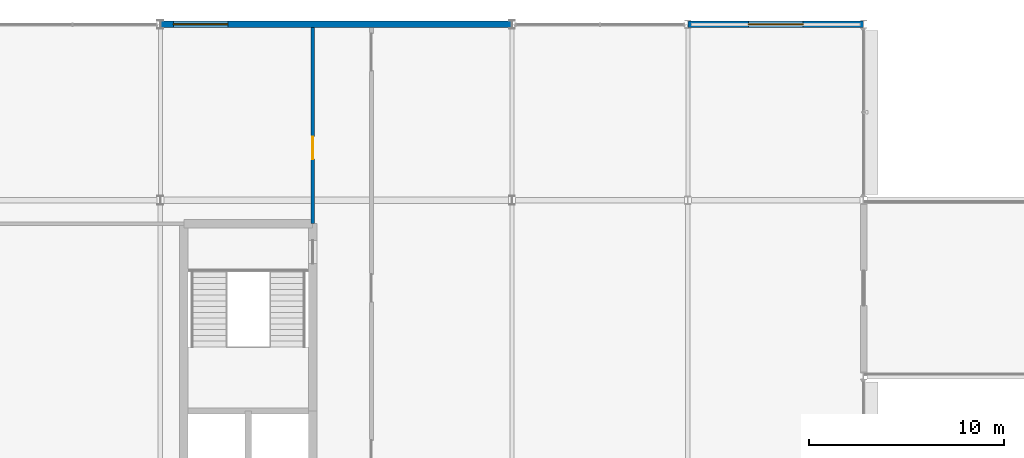
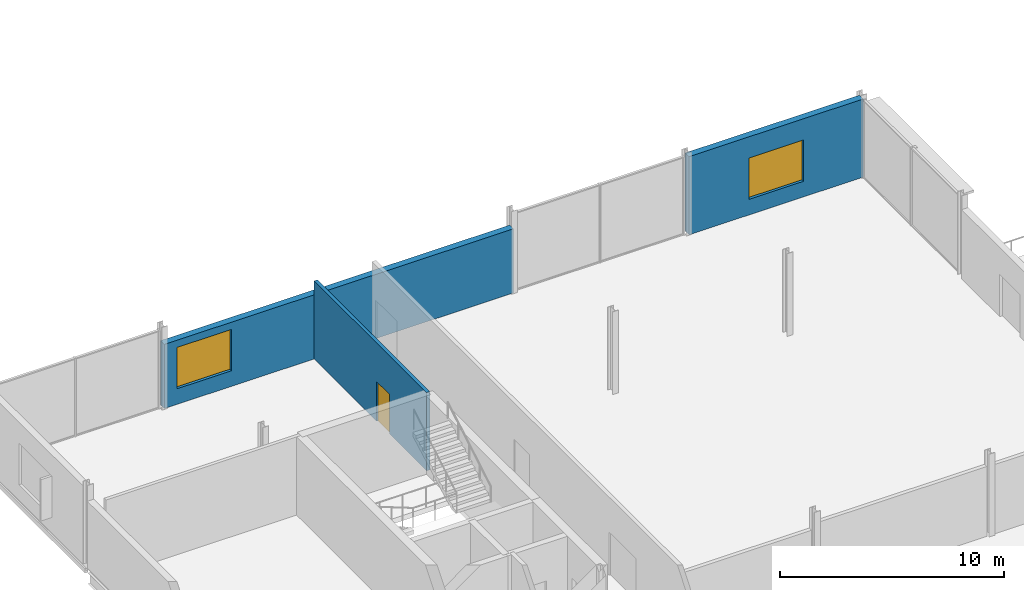
# One storey, part 42 of 73: 3 walls, 2 windows, 1 door, 3 openings.
"""IFC4 building model written with IfcOpenShell, lengths in metres."""

from ifc_helpers import new_model, si_unit, direction, frame, frame_2d, origin, place, context, subcontext, project, spatial, rectangle, extrude, material, layer, layer_set, type_object, element, fill, save


model = new_model("IFC4")

# Units and contexts
model_context = context("Model", 3, precision=1e-05, world=origin(), true_north=direction((0.0, 1.0)))
body_context = subcontext(model_context, "Body", "Model", "MODEL_VIEW")
ifc_project = project(units=[si_unit("LENGTHUNIT", "METRE"), si_unit("AREAUNIT", "SQUARE_METRE"), si_unit("VOLUMEUNIT", "CUBIC_METRE"), si_unit("PLANEANGLEUNIT", "RADIAN"), si_unit("MASSUNIT", "GRAM", prefix="KILO")], contexts=[model_context])

# Site, building, storey
site_placement = place(None, origin())
site = spatial("IfcSite", under=ifc_project, at=site_placement, CompositionType="ELEMENT")
building_placement = place(site_placement, origin())
building = spatial("IfcBuilding", under=site, at=building_placement, Name="Kisiwana Market Hall", CompositionType="ELEMENT")
storey_placement = place(building_placement, frame((0.0, 0.0, 33.300048828125)))
storey = spatial("IfcBuildingStorey", under=building, at=storey_placement, Name="L07", CompositionType="ELEMENT", Elevation=33.300048828125)

# Wall, opening, door
ifc_material_1 = material(Name="Masonry blockwork", Category="masonry")
ifc_layer_1 = layer(ifc_material_1, 0.169921875, Name="Protected corridor partition")
ifc_layer_set_1 = layer_set([ifc_layer_1], Name="WL-CORR-170")
wall_type_1 = type_object("IfcWallType", Name="WL-CORR-170", PredefinedType="PARTITIONING", material=ifc_layer_set_1)
wall_1_placement = place(storey_placement, frame((16.800048828125, 100.800048828125, 0.0), z_axis=(0.0, 0.0, 1.0), x_axis=(0.0, 1.0, 0.0)))
wall_1 = element("IfcWall", 1, at=wall_1_placement, inside=storey, type_object=wall_type_1, Name="Interior partition W-2221", PredefinedType="PARTITIONING", context=body_context, shape_type="SweptSolid", body=[
    extrude(rectangle(XDim=10.030029296875, YDim=0.169921875, at=frame_2d((5.01513671875, 0.0))), origin(), (0.0, 0.0, 1.0), 4.2548828125),
])
opening_1_placement = place(wall_1_placement, frame((3.300048828125, 0.0, 0.0)))
opening_1 = element("IfcOpeningElement", 2, at=opening_1_placement, cuts=wall_1, Name="Opening DR-L07-034", PredefinedType="OPENING", context=body_context, shape_type="SweptSolid", body=[
    extrude(rectangle(XDim=1.14990234375, YDim=2.14990234375, at=frame_2d((0.574951171875, 1.074951171875))), frame((0.0, 0.096923828125, 0.0), z_axis=(0.0, -1.0, 0.0), x_axis=(1.0, 0.0, 0.0)), (0.0, 0.0, 1.0), 0.19384765625),
])
ifc_material_2 = material(Name="Aluminium alloy 6063-T6", Category="aluminium")
door_type = type_object("IfcDoorType", Name="DR-MEET-1150", OperationType="NOTDEFINED", PredefinedType="DOOR", material=ifc_material_2)
door_placement = place(opening_1_placement, origin())
door = element("IfcDoor", 3, at=door_placement, inside=storey, type_object=door_type, Name="L07 W Corner Office Suite North Door", OperationType="SINGLE_SWING_LEFT", OverallHeight=2.14990234375, OverallWidth=1.14990234375, PredefinedType="DOOR", context=body_context, shape_type="SweptSolid", body=[
    extrude(rectangle(XDim=1.14990234375, YDim=2.14990234375, at=frame_2d((0.574951171875, 1.074951171875))), frame((0.0, 0.02490234375, 0.0), z_axis=(0.0, -1.0, 0.0), x_axis=(1.0, 0.0, 0.0)), (0.0, 0.0, 1.0), 0.050048828125),
])
fill(opening_1, door)

# Wall, opening, window
ifc_material_3 = material(Name="Concrete C40/50 precast", Category="concrete")
ifc_layer_2 = layer(ifc_material_3, 0.14990234375, Name="Precast architectural concrete spandrel")
ifc_material_4 = material(Name="Mineral wool insulation")
ifc_layer_3 = layer(ifc_material_4, 0.090087890625, Name="Rockwool thermal insulation")
ifc_material_5 = material(Name="Masonry blockwork", Category="masonry")
ifc_layer_4 = layer(ifc_material_5, 0.10009765625, Name="Inner masonry block leaf")
ifc_layer_set_2 = layer_set([ifc_layer_2, ifc_layer_3, ifc_layer_4], Name="WL-EXT-PREC-340")
wall_type_2 = type_object("IfcWallType", Name="WL-EXT-PREC-340", PredefinedType="STANDARD", material=ifc_layer_set_2)
wall_2_placement = place(storey_placement, frame((9.010009765625, 111.0, 0.0), z_axis=(0.0, 0.0, 1.0), x_axis=(1.0, 0.0, 0.0)))
wall_2 = element("IfcWall", 4, at=wall_2_placement, inside=storey, type_object=wall_type_2, Name="Exterior wall W-2183", PredefinedType="STANDARD", context=body_context, shape_type="SweptSolid", body=[
    extrude(rectangle(XDim=17.97998046875, YDim=0.340087890625, at=frame_2d((8.989990234375, 0.0))), origin(), (0.0, 0.0, 1.0), 3.49267578125),
])
opening_2_placement = place(wall_2_placement, frame((0.64990234375, 0.0, 0.85009765625)))
opening_2 = element("IfcOpeningElement", 5, at=opening_2_placement, cuts=wall_2, Name="Opening WN-03", PredefinedType="OPENING", context=body_context, shape_type="SweptSolid", body=[
    extrude(rectangle(XDim=2.800048828125, YDim=2.25, at=frame_2d((1.39990234375, 1.125))), frame((0.0, 0.18212890625, 0.0), z_axis=(0.0, -1.0, 0.0), x_axis=(1.0, 0.0, 0.0)), (0.0, 0.0, 1.0), 0.364013671875),
])
ifc_material_6 = material(Name="Double-glazed solar-control low-E IGU", Category="glass")
window_type = type_object("IfcWindowType", Name="WN-SKYB-2800x2250", PartitioningType="SINGLE_PANEL", PredefinedType="WINDOW", material=ifc_material_6)
window_1_placement = place(opening_2_placement, origin())
window_1 = element("IfcWindow", 6, at=window_1_placement, inside=storey, type_object=window_type, Name="Exterior window WN-215", OverallHeight=2.25, OverallWidth=2.800048828125, PartitioningType="SINGLE_PANEL", PredefinedType="WINDOW", context=body_context, shape_type="SweptSolid", body=[
    extrude(rectangle(XDim=2.800048828125, YDim=2.25, at=frame_2d((1.39990234375, 1.125))), frame((0.0, 0.030029296875, 0.0), z_axis=(0.0, -1.0, 0.0), x_axis=(1.0, 0.0, 0.0)), (0.0, 0.0, 1.0), 0.06005859375),
])
fill(opening_2, window_1)

wall_3_placement = place(storey_placement, frame((36.010009765625, 111.0, 0.0), z_axis=(0.0, 0.0, 1.0), x_axis=(1.0, 0.0, 0.0)))
wall_3 = element("IfcWall", 7, at=wall_3_placement, inside=storey, type_object=wall_type_2, Name="Exterior wall W-2184", PredefinedType="STANDARD", context=body_context, shape_type="SweptSolid", body=[
    extrude(rectangle(XDim=8.97998046875, YDim=0.340087890625, at=frame_2d((4.489990234375, 0.0))), origin(), (0.0, 0.0, 1.0), 4.2548828125),
])
opening_3_placement = place(wall_3_placement, frame((3.090087890625, 0.0, 0.85009765625)))
opening_3 = element("IfcOpeningElement", 8, at=opening_3_placement, cuts=wall_3, Name="Opening WN-03", PredefinedType="OPENING", context=body_context, shape_type="SweptSolid", body=[
    extrude(rectangle(XDim=2.800048828125, YDim=2.25, at=frame_2d((1.39990234375, 1.125))), frame((0.0, 0.18212890625, 0.0), z_axis=(0.0, -1.0, 0.0), x_axis=(1.0, 0.0, 0.0)), (0.0, 0.0, 1.0), 0.364013671875),
])
window_2_placement = place(opening_3_placement, origin())
window_2 = element("IfcWindow", 9, at=window_2_placement, inside=storey, type_object=window_type, Name="Exterior window WN-216", OverallHeight=2.25, OverallWidth=2.800048828125, PartitioningType="SINGLE_PANEL", PredefinedType="WINDOW", context=body_context, shape_type="SweptSolid", body=[
    extrude(rectangle(XDim=2.800048828125, YDim=2.25, at=frame_2d((1.39990234375, 1.125))), frame((0.0, 0.030029296875, 0.0), z_axis=(0.0, -1.0, 0.0), x_axis=(1.0, 0.0, 0.0)), (0.0, 0.0, 1.0), 0.06005859375),
])
fill(opening_3, window_2)

save(model, "model.ifc")
